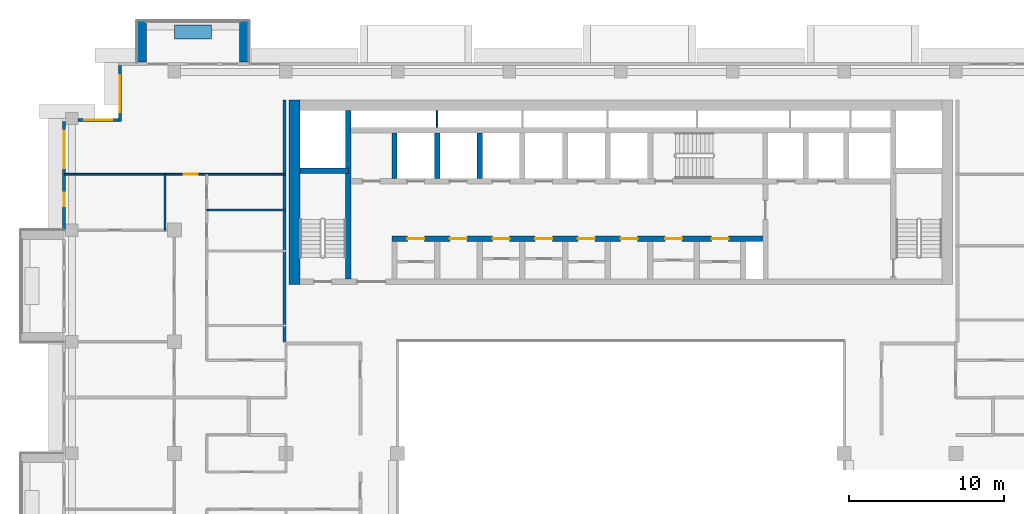
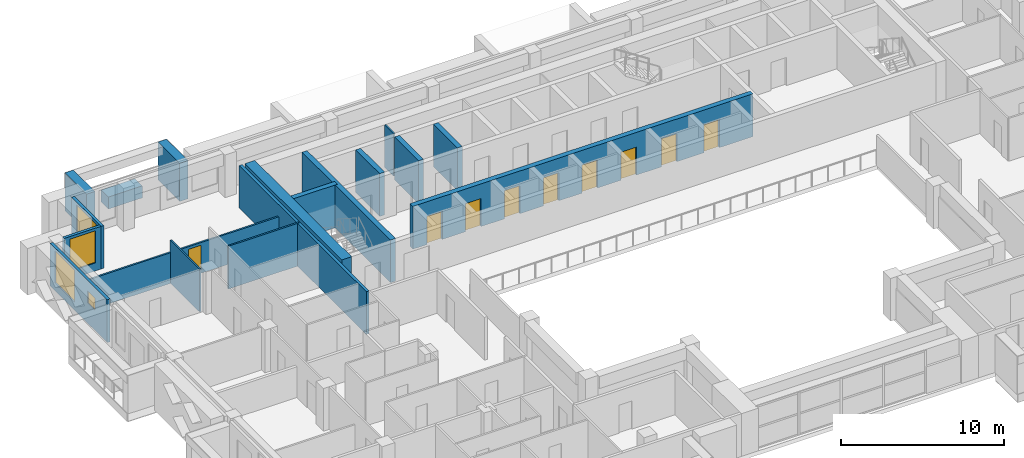
# One storey, part 10 of 20: 18 walls, 9 doors, 4 windows, 13 openings.
"""IFC4 building model written with IfcOpenShell, lengths in metres."""

from ifc_helpers import new_model, si_unit, direction, frame, frame_2d, origin, place, context, subcontext, project, spatial, rectangle, extrude, material, layer, layer_set, type_object, element, fill, save


model = new_model("IFC4")

# Units and contexts
model_context = context("Model", 3, precision=1e-05, world=origin(), true_north=direction((0.0, 1.0)))
body_context = subcontext(model_context, "Body", "Model", "MODEL_VIEW")
ifc_project = project(units=[si_unit("LENGTHUNIT", "METRE"), si_unit("AREAUNIT", "SQUARE_METRE"), si_unit("VOLUMEUNIT", "CUBIC_METRE"), si_unit("PLANEANGLEUNIT", "RADIAN"), si_unit("MASSUNIT", "GRAM", prefix="KILO")], contexts=[model_context])

# Site, building, storey
site_placement = place(None, origin())
site = spatial("IfcSite", under=ifc_project, at=site_placement, CompositionType="ELEMENT")
building_placement = place(site_placement, origin())
building = spatial("IfcBuilding", under=site, at=building_placement, Name="Saffron Iwan Residences", CompositionType="ELEMENT")
storey_placement = place(building_placement, frame((0.0, 0.0, 174.5)))
storey = spatial("IfcBuildingStorey", under=building, at=storey_placement, Name="L46", CompositionType="ELEMENT", Elevation=174.5)

# Walls
ifc_material_1 = material(Name="Concrete C50/60 white painted", Category="concrete")
ifc_layer_1 = layer(ifc_material_1, 0.60009765625)
ifc_layer_set_1 = layer_set([ifc_layer_1], Name="Concrete C50/60 white painted")
wall_type_1 = type_object("IfcWallType", Name="BALCONY FIN 600", PredefinedType="SOLIDWALL", material=ifc_layer_set_1)
for number, where, z_axis, x_axis, name in (
    (1, (26.10009765625, 80.449951171875, 0.0), (0.0, 0.0, 1.0), (0.0, 1.0, 0.0), "Balcony fin L46 F5-3a"),
    (2, (19.5, 80.449951171875, 0.0), (0.0, 0.0, 1.0), (0.0, 1.0, 0.0), "Balcony fin L46 F5-3b"),
):
    element("IfcWall", number, at=place(storey_placement, frame(where, z_axis=z_axis, x_axis=x_axis)), inside=storey, type_object=wall_type_1, Name=name, PredefinedType="SOLIDWALL", context=body_context, shape_type="SweptSolid", body=[
        extrude(rectangle(XDim=2.650146484375, YDim=0.60009765625, at=frame_2d((1.3251953125, 0.0))), origin(), (0.0, 0.0, 1.0), 2.85009765625),
    ])
ifc_material_2 = material(Name="Concrete C35/45 white painted", Category="concrete")
ifc_layer_2 = layer(ifc_material_2, 0.14990234375)
ifc_layer_set_2 = layer_set([ifc_layer_2], Name="Concrete C35/45 white painted")
wall_type_2 = type_object("IfcWallType", Name="BALCONY PLANTER", PredefinedType="SOLIDWALL", material=ifc_layer_set_2)
wall_1_placement = place(storey_placement, frame((24.0, 82.375, 0.0), z_axis=(0.0, 0.0, 1.0), x_axis=(-1.0, 0.0, 0.0)))
element("IfcWall", 3, at=wall_1_placement, inside=storey, type_object=wall_type_2, Name="PLANTER L46 F5-3", PredefinedType="SOLIDWALL", context=body_context, shape_type="SweptSolid", body=[
    extrude(rectangle(XDim=2.39990234375, YDim=0.89990234375, at=frame_2d((1.199951171875, 0.0))), origin(), (0.0, 0.0, 1.0), 0.89990234375),
])

# Wall, opening, window
ifc_material_3 = material(Name="Concrete C40/50", Category="concrete")
ifc_layer_3 = layer(ifc_material_3, 0.199951171875)
ifc_layer_set_3 = layer_set([ifc_layer_3], Name="Concrete C40/50")
wall_type_3 = type_object("IfcWallType", Name="EXTERNAL WALL 200", PredefinedType="SOLIDWALL", material=ifc_layer_set_3)
wall_2_placement = place(storey_placement, frame((18.10009765625, 80.199951171875, 0.0), z_axis=(0.0, 0.0, 1.0), x_axis=(0.0, -1.0, 0.0)))
wall_2 = element("IfcWall", 4, at=wall_2_placement, inside=storey, type_object=wall_type_3, Name="External wall L46 F6.0", PredefinedType="SOLIDWALL", context=body_context, shape_type="SweptSolid", body=[
    extrude(rectangle(XDim=3.599853515625, YDim=0.199951171875, at=frame_2d((1.7998046875, 0.0))), origin(), (0.0, 0.0, 1.0), 3.199951171875),
])
opening_1_placement = place(wall_2_placement, frame((0.60009765625, 0.0, 0.60009765625)))
opening_1 = element("IfcOpeningElement", 5, at=opening_1_placement, cuts=wall_2, Name="Opening W1", PredefinedType="OPENING", context=body_context, shape_type="SweptSolid", body=[
    extrude(rectangle(XDim=2.39990234375, YDim=2.39990234375, at=frame_2d((1.199951171875, 1.199951171875))), frame((0.0, 0.10986328125, 0.0), z_axis=(0.0, -1.0, 0.0), x_axis=(1.0, 0.0, 0.0)), (0.0, 0.0, 1.0), 0.219970703125),
])
ifc_material_4 = material(Name="Clear glass, laminated double glazed", Category="glass")
window_type_1 = type_object("IfcWindowType", Name="WINDOW 2400 x 2400", PartitioningType="DOUBLE_PANEL_VERTICAL", PredefinedType="WINDOW", material=ifc_material_4)
window_1_placement = place(opening_1_placement, origin())
window_1 = element("IfcWindow", 6, at=window_1_placement, inside=storey, type_object=window_type_1, Name="Window L46 F6.0", OverallHeight=2.39990234375, OverallWidth=2.39990234375, PartitioningType="DOUBLE_PANEL_VERTICAL", PredefinedType="WINDOW", context=body_context, shape_type="SweptSolid", body=[
    extrude(rectangle(XDim=2.39990234375, YDim=2.39990234375, at=frame_2d((1.199951171875, 1.199951171875))), frame((0.0, 0.030029296875, 0.0), z_axis=(0.0, -1.0, 0.0), x_axis=(1.0, 0.0, 0.0)), (0.0, 0.0, 1.0), 0.06005859375),
])
fill(opening_1, window_1)

wall_3_placement = place(storey_placement, frame((18.0, 76.699951171875, 0.0), z_axis=(0.0, 0.0, 1.0), x_axis=(-1.0, 0.0, 0.0)))
wall_3 = element("IfcWall", 7, at=wall_3_placement, inside=storey, type_object=wall_type_3, Name="External wall L46 F7.0", PredefinedType="SOLIDWALL", context=body_context, shape_type="SweptSolid", body=[
    extrude(rectangle(XDim=2.60009765625, YDim=0.199951171875, at=frame_2d((1.300048828125, 0.0))), origin(), (0.0, 0.0, 1.0), 3.199951171875),
])
opening_2_placement = place(wall_3_placement, frame((0.39990234375, 0.0, 0.60009765625)))
opening_2 = element("IfcOpeningElement", 8, at=opening_2_placement, cuts=wall_3, Name="Opening W8", PredefinedType="OPENING", context=body_context, shape_type="SweptSolid", body=[
    extrude(rectangle(XDim=1.800048828125, YDim=2.39990234375, at=frame_2d((0.89990234375, 1.199951171875))), frame((0.0, 0.10986328125, 0.0), z_axis=(0.0, -1.0, 0.0), x_axis=(1.0, 0.0, 0.0)), (0.0, 0.0, 1.0), 0.219970703125),
])
window_type_2 = type_object("IfcWindowType", Name="WINDOW 1800 x 2400", PartitioningType="DOUBLE_PANEL_VERTICAL", PredefinedType="WINDOW", material=ifc_material_4)
window_2_placement = place(opening_2_placement, origin())
window_2 = element("IfcWindow", 9, at=window_2_placement, inside=storey, type_object=window_type_2, Name="Window L46 F7.0", OverallHeight=2.39990234375, OverallWidth=1.800048828125, PartitioningType="DOUBLE_PANEL_VERTICAL", PredefinedType="WINDOW", context=body_context, shape_type="SweptSolid", body=[
    extrude(rectangle(XDim=1.800048828125, YDim=2.39990234375, at=frame_2d((0.89990234375, 1.199951171875))), frame((0.0, 0.030029296875, 0.0), z_axis=(0.0, -1.0, 0.0), x_axis=(1.0, 0.0, 0.0)), (0.0, 0.0, 1.0), 0.06005859375),
])
fill(opening_2, window_2)

# Wall, openings, windows
wall_4_placement = place(storey_placement, frame((14.5, 76.60009765625, 0.0), z_axis=(0.0, 0.0, 1.0), x_axis=(0.0, -1.0, 0.0)))
wall_4 = element("IfcWall", 10, at=wall_4_placement, inside=storey, type_object=wall_type_3, Name="External wall L46 F8.0", PredefinedType="SOLIDWALL", context=body_context, shape_type="SweptSolid", body=[
    extrude(rectangle(XDim=7.0, YDim=0.199951171875, at=frame_2d((3.5, 0.0))), origin(), (0.0, 0.0, 1.0), 3.199951171875),
])
opening_3_placement = place(wall_4_placement, frame((4.574951171875, 0.0, 1.5)))
opening_3 = element("IfcOpeningElement", 11, at=opening_3_placement, cuts=wall_4, Name="Opening W6", PredefinedType="OPENING", context=body_context, shape_type="SweptSolid", body=[
    extrude(rectangle(XDim=0.89990234375, YDim=0.89990234375, at=frame_2d((0.449951171875, 0.449951171875))), frame((0.0, 0.10986328125, 0.0), z_axis=(0.0, -1.0, 0.0), x_axis=(1.0, 0.0, 0.0)), (0.0, 0.0, 1.0), 0.219970703125),
])
opening_4_placement = place(wall_4_placement, frame((0.60009765625, 0.0, 0.60009765625)))
opening_4 = element("IfcOpeningElement", 12, at=opening_4_placement, cuts=wall_4, Name="Opening W1", PredefinedType="OPENING", context=body_context, shape_type="SweptSolid", body=[
    extrude(rectangle(XDim=2.39990234375, YDim=2.39990234375, at=frame_2d((1.199951171875, 1.199951171875))), frame((0.0, 0.10986328125, 0.0), z_axis=(0.0, -1.0, 0.0), x_axis=(1.0, 0.0, 0.0)), (0.0, 0.0, 1.0), 0.219970703125),
])
window_3_placement = place(opening_4_placement, origin())
window_3 = element("IfcWindow", 13, at=window_3_placement, inside=storey, type_object=window_type_1, Name="Window L46 F8.1", OverallHeight=2.39990234375, OverallWidth=2.39990234375, PartitioningType="DOUBLE_PANEL_VERTICAL", PredefinedType="WINDOW", context=body_context, shape_type="SweptSolid", body=[
    extrude(rectangle(XDim=2.39990234375, YDim=2.39990234375, at=frame_2d((1.199951171875, 1.199951171875))), frame((0.0, 0.030029296875, 0.0), z_axis=(0.0, -1.0, 0.0), x_axis=(1.0, 0.0, 0.0)), (0.0, 0.0, 1.0), 0.06005859375),
])
fill(opening_4, window_3)
window_type_3 = type_object("IfcWindowType", Name="WINDOW 900 x 900 BATH", PartitioningType="SINGLE_PANEL", PredefinedType="WINDOW", material=ifc_material_4)
window_4_placement = place(opening_3_placement, origin())
window_4 = element("IfcWindow", 14, at=window_4_placement, inside=storey, type_object=window_type_3, Name="Window L46 F8.0", OverallHeight=0.89990234375, OverallWidth=0.89990234375, PartitioningType="SINGLE_PANEL", PredefinedType="WINDOW", context=body_context, shape_type="SweptSolid", body=[
    extrude(rectangle(XDim=0.89990234375, YDim=0.89990234375, at=frame_2d((0.449951171875, 0.449951171875))), frame((0.0, 0.030029296875, 0.0), z_axis=(0.0, -1.0, 0.0), x_axis=(1.0, 0.0, 0.0)), (0.0, 0.0, 1.0), 0.06005859375),
])
fill(opening_3, window_4)

# Wall
ifc_material_5 = material(Name="Gypsum board partition")
ifc_layer_4 = layer(ifc_material_5, 0.1201171875)
ifc_layer_set_4 = layer_set([ifc_layer_4], Name="Gypsum board partition")
wall_type_4 = type_object("IfcWallType", Name="Flat partition 120", PredefinedType="PARTITIONING", material=ifc_layer_set_4)
wall_5_placement = place(storey_placement, frame((23.699951171875, 70.89990234375, 0.0), z_axis=(0.0, 0.0, 1.0), x_axis=(1.0, 0.0, 0.0)))
element("IfcWall", 15, at=wall_5_placement, inside=storey, type_object=wall_type_4, Name="W-L46-PART-h70.9-23.7", PredefinedType="PARTITIONING", context=body_context, shape_type="SweptSolid", body=[
    extrude(rectangle(XDim=5.10009765625, YDim=0.1201171875, at=frame_2d((2.550048828125, 0.0))), origin(), (0.0, 0.0, 1.0), 3.199951171875),
])

# Wall, opening, door
wall_6_placement = place(storey_placement, frame((14.52490234375, 73.199951171875, 0.0), z_axis=(0.0, 0.0, 1.0), x_axis=(1.0, 0.0, 0.0)))
wall_6 = element("IfcWall", 16, at=wall_6_placement, inside=storey, type_object=wall_type_4, Name="W-L46-PART-h73.2-14.525", PredefinedType="PARTITIONING", context=body_context, shape_type="SweptSolid", body=[
    extrude(rectangle(XDim=14.275146484375, YDim=0.1201171875, at=frame_2d((7.1376953125, 0.0))), origin(), (0.0, 0.0, 1.0), 2.300048828125),
])
opening_5_placement = place(wall_6_placement, frame((7.675048828125, 0.0, 0.0)))
opening_5 = element("IfcOpeningElement", 17, at=opening_5_placement, cuts=wall_6, Name="Opening FD2", PredefinedType="OPENING", context=body_context, shape_type="SweptSolid", body=[
    extrude(rectangle(XDim=0.89990234375, YDim=2.10009765625, at=frame_2d((0.449951171875, 1.050048828125))), frame((0.0, 0.070068359375, 0.0), z_axis=(0.0, -1.0, 0.0), x_axis=(1.0, 0.0, 0.0)), (0.0, 0.0, 1.0), 0.14013671875),
])
ifc_material_6 = material(Name="Timber door", Category="wood")
door_type_1 = type_object("IfcDoorType", Name="Flat door 900", OperationType="NOTDEFINED", PredefinedType="DOOR", material=ifc_material_6)
door_1_placement = place(opening_5_placement, origin())
door_1 = element("IfcDoor", 18, at=door_1_placement, inside=storey, type_object=door_type_1, Name="Door L46-025", OperationType="SINGLE_SWING_LEFT", OverallHeight=2.10009765625, OverallWidth=0.89990234375, PredefinedType="DOOR", context=body_context, shape_type="SweptSolid", body=[
    extrude(rectangle(XDim=0.89990234375, YDim=2.10009765625, at=frame_2d((0.449951171875, 1.050048828125))), frame((0.0, 0.02490234375, 0.0), z_axis=(0.0, -1.0, 0.0), x_axis=(1.0, 0.0, 0.0)), (0.0, 0.0, 1.0), 0.050048828125),
])
fill(opening_5, door_1)

# Walls
wall_7_placement = place(storey_placement, frame((21.0, 69.60009765625, 0.0), z_axis=(0.0, 0.0, 1.0), x_axis=(0.0, 1.0, 0.0)))
element("IfcWall", 19, at=wall_7_placement, inside=storey, type_object=wall_type_4, Name="W-L46-PART-v21-69.6", PredefinedType="PARTITIONING", context=body_context, shape_type="SweptSolid", body=[
    extrude(rectangle(XDim=3.599853515625, YDim=0.1201171875, at=frame_2d((1.7998046875, 0.0))), origin(), (0.0, 0.0, 1.0), 3.199951171875),
])
ifc_material_7 = material(Name="Fire-rated gypsum board wall")
ifc_layer_5 = layer(ifc_material_7, 0.199951171875)
ifc_layer_set_5 = layer_set([ifc_layer_5], Name="Fire-rated gypsum board wall")
wall_type_5 = type_object("IfcWallType", Name="Gallery wall 200", PredefinedType="SOLIDWALL", material=ifc_layer_set_5)
wall_8_placement = place(storey_placement, frame((28.699951171875, 62.39990234375, 0.0), z_axis=(0.0, 0.0, 1.0), x_axis=(0.0, 1.0, 0.0)))
element("IfcWall", 20, at=wall_8_placement, inside=storey, type_object=wall_type_5, Name="W-L46-CORR-v28.8-62.4", PredefinedType="SOLIDWALL", context=body_context, shape_type="SweptSolid", body=[
    extrude(rectangle(XDim=15.60009765625, YDim=0.199951171875, at=frame_2d((7.800048828125, 0.0))), origin(), (0.0, 0.0, 1.0), 3.199951171875),
])
ifc_material_8 = material(Name="Fire-rated plasterboard partition")
ifc_layer_6 = layer(ifc_material_8, 0.10009765625)
ifc_layer_set_6 = layer_set([ifc_layer_6], Name="Fire-rated plasterboard partition")
wall_type_6 = type_object("IfcWallType", Name="Riser partition 100", PredefinedType="PARTITIONING", material=ifc_layer_set_6)
wall_9_placement = place(storey_placement, frame((38.550048828125, 76.22509765625, 0.0), z_axis=(0.0, 0.0, 1.0), x_axis=(0.0, 1.0, 0.0)))
element("IfcWall", 21, at=wall_9_placement, inside=storey, type_object=wall_type_6, Name="Core partition P07", PredefinedType="PARTITIONING", context=body_context, shape_type="SweptSolid", body=[
    extrude(rectangle(XDim=1.074951171875, YDim=0.10009765625, at=frame_2d((0.53759765625, 0.0))), origin(), (0.0, 0.0, 1.0), 3.199951171875),
])

# Wall, openings, doors
ifc_material_9 = material(Name="Concrete C50/60", Category="concrete")
ifc_layer_7 = layer(ifc_material_9, 0.35009765625)
ifc_layer_set_7 = layer_set([ifc_layer_7], Name="Concrete C50/60")
wall_type_7 = type_object("IfcWallType", Name="WALL CORE 350 C50/60 3200 HIGH", PredefinedType="SHEAR", material=ifc_layer_set_7)
wall_10_placement = place(storey_placement, frame((35.625, 69.050048828125, 0.0), z_axis=(0.0, 0.0, 1.0), x_axis=(1.0, 0.0, 0.0)))
wall_10 = element("IfcWall", 22, at=wall_10_placement, inside=storey, type_object=wall_type_7, Name="Core wall", PredefinedType="SHEAR", context=body_context, shape_type="SweptSolid", body=[
    extrude(rectangle(XDim=24.10009765625, YDim=0.35009765625, at=frame_2d((12.050048828125, 0.0))), origin(), (0.0, 0.0, 1.0), 3.199951171875),
])
opening_6_placement = place(wall_10_placement, frame((1.0, 0.0, 0.0)))
opening_6 = element("IfcOpeningElement", 23, at=opening_6_placement, cuts=wall_10, Name="Opening SR", PredefinedType="OPENING", context=body_context, shape_type="SweptSolid", body=[
    extrude(rectangle(XDim=1.10009765625, YDim=2.10009765625, at=frame_2d((0.550048828125, 1.050048828125))), frame((0.0, 0.18505859375, 0.0), z_axis=(0.0, -1.0, 0.0), x_axis=(1.0, 0.0, 0.0)), (0.0, 0.0, 1.0), 0.3701171875),
])
opening_7_placement = place(wall_10_placement, frame((3.75, 0.0, 0.0)))
opening_7 = element("IfcOpeningElement", 24, at=opening_7_placement, cuts=wall_10, Name="Opening SR", PredefinedType="OPENING", context=body_context, shape_type="SweptSolid", body=[
    extrude(rectangle(XDim=1.10009765625, YDim=2.10009765625, at=frame_2d((0.550048828125, 1.050048828125))), frame((0.0, 0.18505859375, 0.0), z_axis=(0.0, -1.0, 0.0), x_axis=(1.0, 0.0, 0.0)), (0.0, 0.0, 1.0), 0.3701171875),
])
opening_8_placement = place(wall_10_placement, frame((6.5, 0.0, 0.0)))
opening_8 = element("IfcOpeningElement", 25, at=opening_8_placement, cuts=wall_10, Name="Opening SR", PredefinedType="OPENING", context=body_context, shape_type="SweptSolid", body=[
    extrude(rectangle(XDim=1.10009765625, YDim=2.10009765625, at=frame_2d((0.550048828125, 1.050048828125))), frame((0.0, 0.18505859375, 0.0), z_axis=(0.0, -1.0, 0.0), x_axis=(1.0, 0.0, 0.0)), (0.0, 0.0, 1.0), 0.3701171875),
])
opening_9_placement = place(wall_10_placement, frame((9.25, 0.0, 0.0)))
opening_9 = element("IfcOpeningElement", 26, at=opening_9_placement, cuts=wall_10, Name="Opening SR", PredefinedType="OPENING", context=body_context, shape_type="SweptSolid", body=[
    extrude(rectangle(XDim=1.10009765625, YDim=2.10009765625, at=frame_2d((0.550048828125, 1.050048828125))), frame((0.0, 0.18505859375, 0.0), z_axis=(0.0, -1.0, 0.0), x_axis=(1.0, 0.0, 0.0)), (0.0, 0.0, 1.0), 0.3701171875),
])
opening_10_placement = place(wall_10_placement, frame((12.0, 0.0, 0.0)))
opening_10 = element("IfcOpeningElement", 27, at=opening_10_placement, cuts=wall_10, Name="Opening SR", PredefinedType="OPENING", context=body_context, shape_type="SweptSolid", body=[
    extrude(rectangle(XDim=1.10009765625, YDim=2.10009765625, at=frame_2d((0.550048828125, 1.050048828125))), frame((0.0, 0.18505859375, 0.0), z_axis=(0.0, -1.0, 0.0), x_axis=(1.0, 0.0, 0.0)), (0.0, 0.0, 1.0), 0.3701171875),
])
opening_11_placement = place(wall_10_placement, frame((14.75, 0.0, 0.0)))
opening_11 = element("IfcOpeningElement", 28, at=opening_11_placement, cuts=wall_10, Name="Opening SR", PredefinedType="OPENING", context=body_context, shape_type="SweptSolid", body=[
    extrude(rectangle(XDim=1.10009765625, YDim=2.10009765625, at=frame_2d((0.550048828125, 1.050048828125))), frame((0.0, 0.18505859375, 0.0), z_axis=(0.0, -1.0, 0.0), x_axis=(1.0, 0.0, 0.0)), (0.0, 0.0, 1.0), 0.3701171875),
])
opening_12_placement = place(wall_10_placement, frame((17.625, 0.0, 0.0)))
opening_12 = element("IfcOpeningElement", 29, at=opening_12_placement, cuts=wall_10, Name="Opening SR", PredefinedType="OPENING", context=body_context, shape_type="SweptSolid", body=[
    extrude(rectangle(XDim=1.10009765625, YDim=2.10009765625, at=frame_2d((0.550048828125, 1.050048828125))), frame((0.0, 0.18505859375, 0.0), z_axis=(0.0, -1.0, 0.0), x_axis=(1.0, 0.0, 0.0)), (0.0, 0.0, 1.0), 0.3701171875),
])
opening_13_placement = place(wall_10_placement, frame((20.625, 0.0, 0.0)))
opening_13 = element("IfcOpeningElement", 30, at=opening_13_placement, cuts=wall_10, Name="Opening SR", PredefinedType="OPENING", context=body_context, shape_type="SweptSolid", body=[
    extrude(rectangle(XDim=1.10009765625, YDim=2.10009765625, at=frame_2d((0.550048828125, 1.050048828125))), frame((0.0, 0.18505859375, 0.0), z_axis=(0.0, -1.0, 0.0), x_axis=(1.0, 0.0, 0.0)), (0.0, 0.0, 1.0), 0.3701171875),
])
ifc_material_10 = material(Name="Steel fire door", Category="steel")
door_type_2 = type_object("IfcDoorType", Name="Service door 1100", OperationType="NOTDEFINED", PredefinedType="DOOR", material=ifc_material_10)
door_2_placement = place(opening_6_placement, origin())
door_2 = element("IfcDoor", 31, at=door_2_placement, inside=storey, type_object=door_type_2, Name="Door Linen store", OperationType="SINGLE_SWING_RIGHT", OverallHeight=2.10009765625, OverallWidth=1.10009765625, PredefinedType="DOOR", context=body_context, shape_type="SweptSolid", body=[
    extrude(rectangle(XDim=1.10009765625, YDim=2.10009765625, at=frame_2d((0.550048828125, 1.050048828125))), frame((0.0, 0.02490234375, 0.0), z_axis=(0.0, -1.0, 0.0), x_axis=(1.0, 0.0, 0.0)), (0.0, 0.0, 1.0), 0.050048828125),
])
fill(opening_6, door_2)
door_3_placement = place(opening_7_placement, origin())
door_3 = element("IfcDoor", 32, at=door_3_placement, inside=storey, type_object=door_type_2, Name="Door Pantry", OperationType="SINGLE_SWING_LEFT", OverallHeight=2.10009765625, OverallWidth=1.10009765625, PredefinedType="DOOR", context=body_context, shape_type="SweptSolid", body=[
    extrude(rectangle(XDim=1.10009765625, YDim=2.10009765625, at=frame_2d((0.550048828125, 1.050048828125))), frame((0.0, 0.02490234375, 0.0), z_axis=(0.0, -1.0, 0.0), x_axis=(1.0, 0.0, 0.0)), (0.0, 0.0, 1.0), 0.050048828125),
])
fill(opening_7, door_3)
door_4_placement = place(opening_8_placement, origin())
door_4 = element("IfcDoor", 33, at=door_4_placement, inside=storey, type_object=door_type_2, Name="Door Electrical room", OperationType="SINGLE_SWING_RIGHT", OverallHeight=2.10009765625, OverallWidth=1.10009765625, PredefinedType="DOOR", context=body_context, shape_type="SweptSolid", body=[
    extrude(rectangle(XDim=1.10009765625, YDim=2.10009765625, at=frame_2d((0.550048828125, 1.050048828125))), frame((0.0, 0.02490234375, 0.0), z_axis=(0.0, -1.0, 0.0), x_axis=(1.0, 0.0, 0.0)), (0.0, 0.0, 1.0), 0.050048828125),
])
fill(opening_8, door_4)
door_5_placement = place(opening_9_placement, origin())
door_5 = element("IfcDoor", 34, at=door_5_placement, inside=storey, type_object=door_type_2, Name="Door Luggage store", OperationType="SINGLE_SWING_LEFT", OverallHeight=2.10009765625, OverallWidth=1.10009765625, PredefinedType="DOOR", context=body_context, shape_type="SweptSolid", body=[
    extrude(rectangle(XDim=1.10009765625, YDim=2.10009765625, at=frame_2d((0.550048828125, 1.050048828125))), frame((0.0, 0.02490234375, 0.0), z_axis=(0.0, -1.0, 0.0), x_axis=(1.0, 0.0, 0.0)), (0.0, 0.0, 1.0), 0.050048828125),
])
fill(opening_9, door_5)
door_6_placement = place(opening_10_placement, origin())
door_6 = element("IfcDoor", 35, at=door_6_placement, inside=storey, type_object=door_type_2, Name="Door Refuse store", OperationType="SINGLE_SWING_RIGHT", OverallHeight=2.10009765625, OverallWidth=1.10009765625, PredefinedType="DOOR", context=body_context, shape_type="SweptSolid", body=[
    extrude(rectangle(XDim=1.10009765625, YDim=2.10009765625, at=frame_2d((0.550048828125, 1.050048828125))), frame((0.0, 0.02490234375, 0.0), z_axis=(0.0, -1.0, 0.0), x_axis=(1.0, 0.0, 0.0)), (0.0, 0.0, 1.0), 0.050048828125),
])
fill(opening_10, door_6)
door_7_placement = place(opening_11_placement, origin())
door_7 = element("IfcDoor", 36, at=door_7_placement, inside=storey, type_object=door_type_2, Name="Door Maintenance store", OperationType="SINGLE_SWING_LEFT", OverallHeight=2.10009765625, OverallWidth=1.10009765625, PredefinedType="DOOR", context=body_context, shape_type="SweptSolid", body=[
    extrude(rectangle(XDim=1.10009765625, YDim=2.10009765625, at=frame_2d((0.550048828125, 1.050048828125))), frame((0.0, 0.02490234375, 0.0), z_axis=(0.0, -1.0, 0.0), x_axis=(1.0, 0.0, 0.0)), (0.0, 0.0, 1.0), 0.050048828125),
])
fill(opening_11, door_7)
door_8_placement = place(opening_12_placement, origin())
door_8 = element("IfcDoor", 37, at=door_8_placement, inside=storey, type_object=door_type_2, Name="Door Cleaner's store", OperationType="SINGLE_SWING_RIGHT", OverallHeight=2.10009765625, OverallWidth=1.10009765625, PredefinedType="DOOR", context=body_context, shape_type="SweptSolid", body=[
    extrude(rectangle(XDim=1.10009765625, YDim=2.10009765625, at=frame_2d((0.550048828125, 1.050048828125))), frame((0.0, 0.02490234375, 0.0), z_axis=(0.0, -1.0, 0.0), x_axis=(1.0, 0.0, 0.0)), (0.0, 0.0, 1.0), 0.050048828125),
])
fill(opening_12, door_8)
door_9_placement = place(opening_13_placement, origin())
door_9 = element("IfcDoor", 38, at=door_9_placement, inside=storey, type_object=door_type_2, Name="Door Trolley store", OperationType="SINGLE_SWING_RIGHT", OverallHeight=2.10009765625, OverallWidth=1.10009765625, PredefinedType="DOOR", context=body_context, shape_type="SweptSolid", body=[
    extrude(rectangle(XDim=1.10009765625, YDim=2.10009765625, at=frame_2d((0.550048828125, 1.050048828125))), frame((0.0, 0.02490234375, 0.0), z_axis=(0.0, -1.0, 0.0), x_axis=(1.0, 0.0, 0.0)), (0.0, 0.0, 1.0), 0.050048828125),
])
fill(opening_13, door_9)

# Walls
wall_11_placement = place(storey_placement, frame((29.699951171875, 73.425048828125, 0.0), z_axis=(0.0, 0.0, 1.0), x_axis=(1.0, 0.0, 0.0)))
element("IfcWall", 39, at=wall_11_placement, inside=storey, type_object=wall_type_7, Name="Core wall", PredefinedType="SHEAR", context=body_context, shape_type="SweptSolid", body=[
    extrude(rectangle(XDim=3.125, YDim=0.35009765625, at=frame_2d((1.5625, 0.0))), origin(), (0.0, 0.0, 1.0), 3.199951171875),
])
wall_12_placement = place(storey_placement, frame((32.824951171875, 66.449951171875, 0.0), z_axis=(0.0, 0.0, 1.0), x_axis=(0.0, 1.0, 0.0)))
element("IfcWall", 40, at=wall_12_placement, inside=storey, type_object=wall_type_7, Name="Core wall", PredefinedType="SHEAR", context=body_context, shape_type="SweptSolid", body=[
    extrude(rectangle(XDim=10.85009765625, YDim=0.35009765625, at=frame_2d((5.425048828125, 0.0))), origin(), (0.0, 0.0, 1.0), 3.199951171875),
])
for number, where, z_axis, x_axis, name in (
    (41, (35.800048828125, 72.925048828125, 0.0), (0.0, 0.0, 1.0), (0.0, 1.0, 0.0), "Core wall"),
    (42, (38.550048828125, 72.925048828125, 0.0), (0.0, 0.0, 1.0), (0.0, 1.0, 0.0), "Core wall"),
    (43, (41.300048828125, 72.925048828125, 0.0), (0.0, 0.0, 1.0), (0.0, 1.0, 0.0), "Core wall"),
):
    element("IfcWall", number, at=place(storey_placement, frame(where, z_axis=z_axis, x_axis=x_axis)), inside=storey, type_object=wall_type_7, Name=name, PredefinedType="SHEAR", context=body_context, shape_type="SweptSolid", body=[
        extrude(rectangle(XDim=2.949951171875, YDim=0.35009765625, at=frame_2d((1.47509765625, 0.0))), origin(), (0.0, 0.0, 1.0), 3.199951171875),
    ])
ifc_layer_8 = layer(ifc_material_9, 0.699951171875)
ifc_layer_set_8 = layer_set([ifc_layer_8], Name="Concrete C50/60")
wall_type_8 = type_object("IfcWallType", Name="WALL CORE 700 C50/60 3200 HIGH", PredefinedType="SHEAR", material=ifc_layer_set_8)
wall_13_placement = place(storey_placement, frame((29.35009765625, 66.10009765625, 0.0), z_axis=(0.0, 0.0, 1.0), x_axis=(0.0, 1.0, 0.0)))
element("IfcWall", 44, at=wall_13_placement, inside=storey, type_object=wall_type_8, Name="Core wall", PredefinedType="SHEAR", context=body_context, shape_type="SweptSolid", body=[
    extrude(rectangle(XDim=11.89990234375, YDim=0.699951171875, at=frame_2d((5.949951171875, 0.0))), origin(), (0.0, 0.0, 1.0), 3.199951171875),
])

save(model, "model.ifc")
